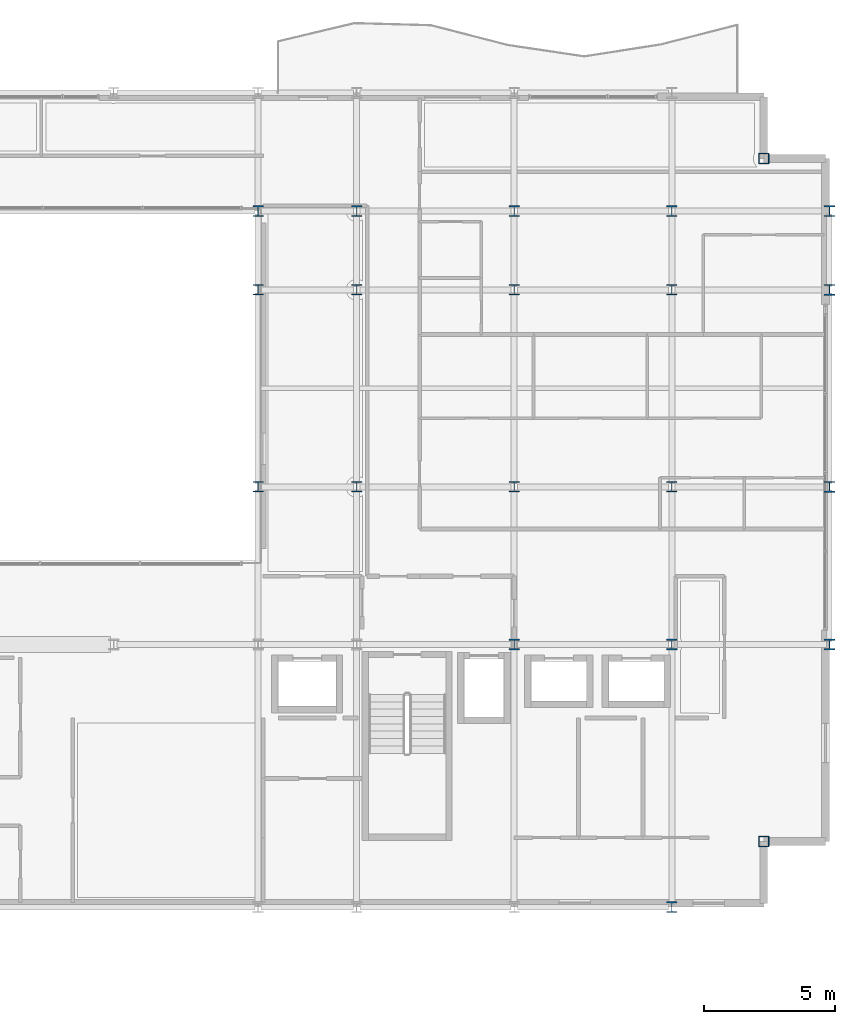
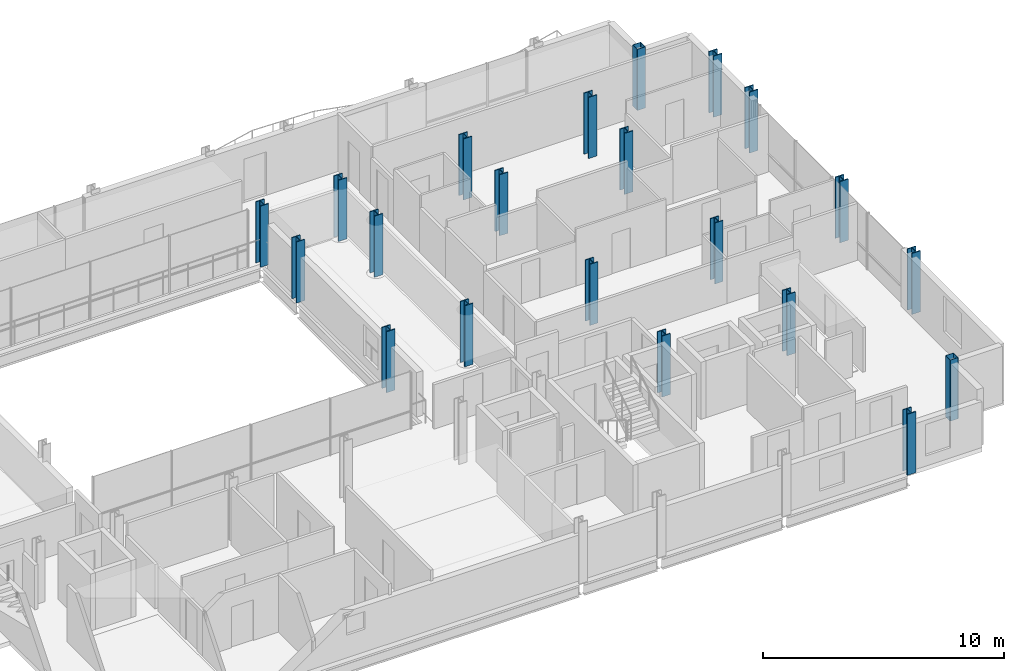
# One storey, part 2 of 41: 21 columns.
"""IFC4 building model written with IfcOpenShell, lengths in metres."""

from ifc_helpers import new_model, si_unit, direction, frame, origin, origin_2d, place, context, subcontext, project, spatial, hollow_rectangle, i_section, extrude, material, material_profile, profile_set, type_object, element, save


model = new_model("IFC4")

# Units and contexts
model_context = context("Model", 3, precision=1e-05, world=origin(), true_north=direction((0.0, 1.0)))
body_context = subcontext(model_context, "Body", "Model", "MODEL_VIEW")
ifc_project = project(units=[si_unit("LENGTHUNIT", "METRE"), si_unit("AREAUNIT", "SQUARE_METRE"), si_unit("VOLUMEUNIT", "CUBIC_METRE"), si_unit("PLANEANGLEUNIT", "RADIAN"), si_unit("MASSUNIT", "GRAM", prefix="KILO")], contexts=[model_context])

# Site, building, storey
site_placement = place(None, origin())
site = spatial("IfcSite", under=ifc_project, at=site_placement, CompositionType="ELEMENT")
building_placement = place(site_placement, origin())
building = spatial("IfcBuilding", under=site, at=building_placement, Name="Brevholm Reach", CompositionType="ELEMENT")
storey_placement = place(building_placement, frame((0.0, 0.0, 169.699951171875)))
storey = spatial("IfcBuildingStorey", under=building, at=storey_placement, Name="L51", CompositionType="ELEMENT", Elevation=169.699951171875)

# Columns
ifc_material_1 = material(Name="Structural Steel S460NH", Category="steel")
ifc_material_profile_1 = material_profile(ifc_material_1, hollow_rectangle(XDim=0.39990234375, YDim=0.39990234375, WallThickness=0.02001953125, InnerFilletRadius=0.011962890625, OuterFilletRadius=0.02392578125, at=origin_2d()), Name="SHS 400x400x20")
ifc_profile_set_1 = profile_set([ifc_material_profile_1], Name="Structural Steel S460NH")
column_type_1 = type_object("IfcColumnType", Name="COL-SHS2", PredefinedType="COLUMN", material=ifc_profile_set_1)
for number, where, z_axis, x_axis, name in (
    (1, (57.5, 2.5, 0.0), (0.0, 0.0, 1.0), (1.0, 0.0, 0.0), "L51 Column 59"),
    (2, (57.5, 28.5, 0.0), (0.0, 0.0, 1.0), (1.0, 0.0, 0.0), "L51 Column 60"),
):
    element("IfcColumn", number, at=place(storey_placement, frame(where, z_axis=z_axis, x_axis=x_axis)), inside=storey, type_object=column_type_1, Name=name, PredefinedType="COLUMN", context=body_context, shape_type="SweptSolid", body=[
        extrude(hollow_rectangle(XDim=0.39990234375, YDim=0.39990234375, WallThickness=0.02001953125, InnerFilletRadius=0.011962890625, OuterFilletRadius=0.02392578125, at=origin_2d()), origin(), (0.0, 0.0, 1.0), 3.10009765625),
    ])
ifc_material_2 = material(Name="Structural Steel S355J2", Category="steel")
ifc_material_profile_2 = material_profile(ifc_material_2, i_section(OverallWidth=0.406982421875, OverallDepth=0.4189453125, WebThickness=0.030517578125, FlangeThickness=0.04931640625, FilletRadius=0.01513671875, at=origin_2d()), Name="UKC 356x406x393")
ifc_profile_set_2 = profile_set([ifc_material_profile_2], Name="Structural Steel S355J2")
column_type_2 = type_object("IfcColumnType", Name="COL-UC4", PredefinedType="COLUMN", material=ifc_profile_set_2)
for number, where, z_axis, x_axis, name in (
    (3, (54.0, 0.0, 0.0), (0.0, 0.0, 1.0), (1.0, 0.0, 0.0), "L51 Column 53"),
    (4, (60.0, 10.0, 0.0), (0.0, 0.0, 1.0), (1.0, 0.0, 0.0), "L51 Column 61"),
    (5, (60.0, 16.0, 0.0), (0.0, 0.0, 1.0), (1.0, 0.0, 0.0), "L51 Column 62"),
    (6, (60.0, 23.5, 0.0), (0.0, 0.0, 1.0), (1.0, 0.0, 0.0), "L51 Column 63"),
    (7, (60.0, 26.5, 0.0), (0.0, 0.0, 1.0), (1.0, 0.0, 0.0), "L51 Column 64"),
):
    element("IfcColumn", number, at=place(storey_placement, frame(where, z_axis=z_axis, x_axis=x_axis)), inside=storey, type_object=column_type_2, Name=name, PredefinedType="COLUMN", context=body_context, shape_type="SweptSolid", body=[
        extrude(i_section(OverallWidth=0.406982421875, OverallDepth=0.4189453125, WebThickness=0.030517578125, FlangeThickness=0.04931640625, FilletRadius=0.01513671875, at=origin_2d()), origin(), (0.0, 0.0, 1.0), 3.10009765625),
    ])
ifc_material_3 = material(Name="Structural Steel S355J2", Category="steel")
ifc_material_profile_3 = material_profile(ifc_material_3, i_section(OverallWidth=0.403076171875, OverallDepth=0.406494140625, WebThickness=0.026611328125, FlangeThickness=0.04296875, FilletRadius=0.01513671875, at=origin_2d()), Name="UKC 356x406x340")
ifc_profile_set_3 = profile_set([ifc_material_profile_3], Name="Structural Steel S355J2")
column_type_3 = type_object("IfcColumnType", Name="COL-UC5", PredefinedType="COLUMN", material=ifc_profile_set_3)
for number, where, z_axis, x_axis, name in (
    (8, (38.25, 16.0, 0.0), (0.0, 0.0, 1.0), (1.0, 0.0, 0.0), "L51 Column 37"),
    (9, (38.25, 23.5, 0.0), (0.0, 0.0, 1.0), (1.0, 0.0, 0.0), "L51 Column 38"),
    (10, (38.25, 26.5, 0.0), (0.0, 0.0, 1.0), (1.0, 0.0, 0.0), "L51 Column 39"),
    (11, (42.0, 16.0, 0.0), (0.0, 0.0, 1.0), (1.0, 0.0, 0.0), "L51 Column 43"),
    (12, (42.0, 23.5, 0.0), (0.0, 0.0, 1.0), (1.0, 0.0, 0.0), "L51 Column 44"),
    (13, (42.0, 26.5, 0.0), (0.0, 0.0, 1.0), (1.0, 0.0, 0.0), "L51 Column 45"),
    (14, (48.0, 10.0, 0.0), (0.0, 0.0, 1.0), (1.0, 0.0, 0.0), "L51 Column 48"),
    (15, (48.0, 16.0, 0.0), (0.0, 0.0, 1.0), (1.0, 0.0, 0.0), "L51 Column 49"),
    (16, (48.0, 23.5, 0.0), (0.0, 0.0, 1.0), (1.0, 0.0, 0.0), "L51 Column 50"),
    (17, (48.0, 26.5, 0.0), (0.0, 0.0, 1.0), (1.0, 0.0, 0.0), "L51 Column 51"),
    (18, (54.0, 10.0, 0.0), (0.0, 0.0, 1.0), (1.0, 0.0, 0.0), "L51 Column 54"),
    (19, (54.0, 16.0, 0.0), (0.0, 0.0, 1.0), (1.0, 0.0, 0.0), "L51 Column 55"),
    (20, (54.0, 23.5, 0.0), (0.0, 0.0, 1.0), (1.0, 0.0, 0.0), "L51 Column 56"),
    (21, (54.0, 26.5, 0.0), (0.0, 0.0, 1.0), (1.0, 0.0, 0.0), "L51 Column 57"),
):
    element("IfcColumn", number, at=place(storey_placement, frame(where, z_axis=z_axis, x_axis=x_axis)), inside=storey, type_object=column_type_3, Name=name, PredefinedType="COLUMN", context=body_context, shape_type="SweptSolid", body=[
        extrude(i_section(OverallWidth=0.403076171875, OverallDepth=0.406494140625, WebThickness=0.026611328125, FlangeThickness=0.04296875, FilletRadius=0.01513671875, at=origin_2d()), origin(), (0.0, 0.0, 1.0), 3.10009765625),
    ])

save(model, "model.ifc")
